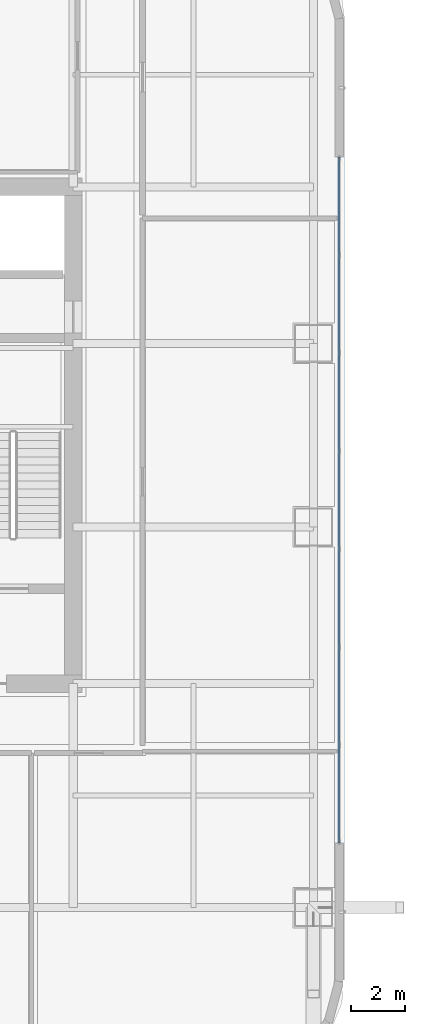
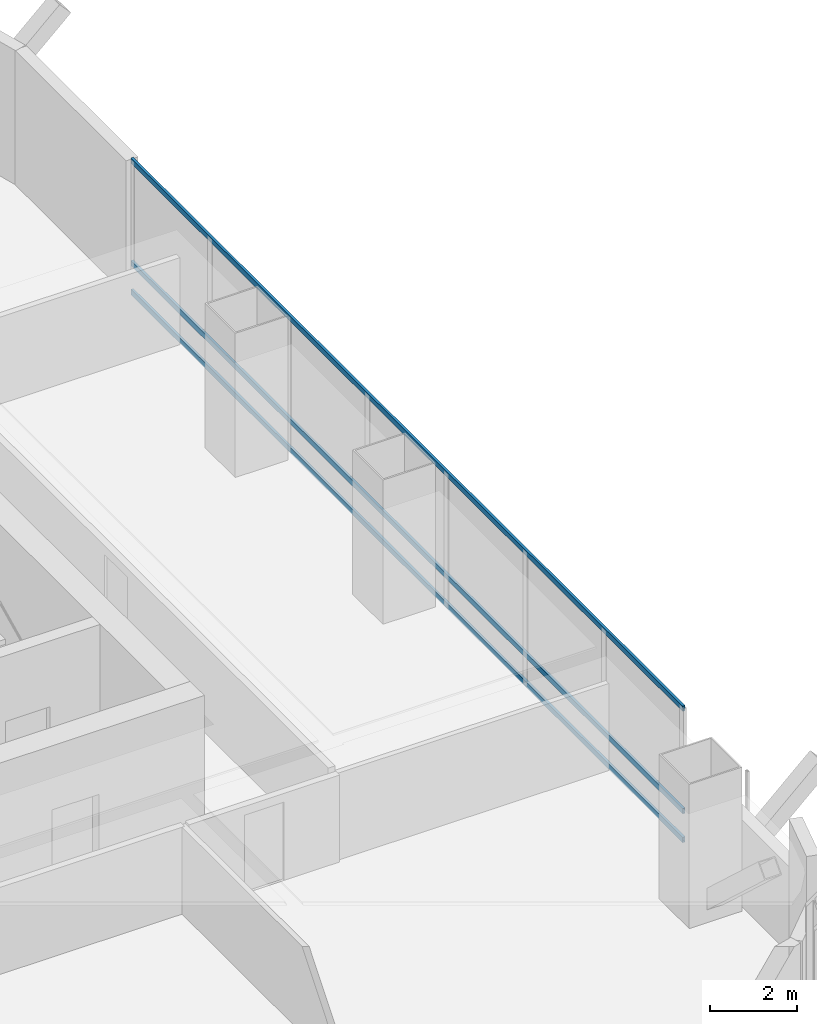
# One storey, part 17 of 46: 3 members, 1 element without a shape of its own.
"""IFC4 building model written with IfcOpenShell, lengths in metres."""

from ifc_helpers import new_model, si_unit, direction, frame, origin, origin_2d, place, context, subcontext, project, spatial, hollow_rectangle, extrude, material, material_profile, profile_set, type_object, element, aggregate, save


model = new_model("IFC4")

# Units and contexts
model_context = context("Model", 3, precision=1e-05, world=origin(), true_north=direction((0.0, 1.0)))
body_context = subcontext(model_context, "Body", "Model", "MODEL_VIEW")
ifc_project = project(units=[si_unit("LENGTHUNIT", "METRE"), si_unit("AREAUNIT", "SQUARE_METRE"), si_unit("VOLUMEUNIT", "CUBIC_METRE"), si_unit("PLANEANGLEUNIT", "RADIAN"), si_unit("MASSUNIT", "GRAM", prefix="KILO")], contexts=[model_context])

# Site, building, storey
site_placement = place(None, origin())
site = spatial("IfcSite", under=ifc_project, at=site_placement, CompositionType="ELEMENT")
building_placement = place(site_placement, origin())
building = spatial("IfcBuilding", under=site, at=building_placement, Name="Punatoya Terracotta Tower", CompositionType="ELEMENT")
storey_placement = place(building_placement, frame((0.0, 0.0, 200.550048828125)))
storey = spatial("IfcBuildingStorey", under=building, at=storey_placement, Name="L47", CompositionType="ELEMENT", Elevation=200.550048828125)

# Curtain wall, members
ifc_material_1 = material(Name="Aluminium 6063-T6 + Double Low-E Glass", Category="aluminium")
curtain_wall_type = type_object("IfcCurtainWallType", Name="CW-M2", PredefinedType="NOTDEFINED", material=ifc_material_1)
curtain_wall_placement = place(storey_placement, origin())
curtain_wall = element("IfcCurtainWall", 1, at=curtain_wall_placement, inside=storey, type_object=curtain_wall_type, Name="L47 Curtain Wall CW-L47-E05-1", PredefinedType="NOTDEFINED")
ifc_material_2 = material(Name="Aluminium 6063-T6", Category="aluminium")
ifc_material_profile = material_profile(ifc_material_2, hollow_rectangle(XDim=0.068115234375, YDim=0.14990234375, WallThickness=0.00390625, at=origin_2d()))
ifc_profile_set = profile_set([ifc_material_profile], Name="Aluminium 6063-T6")
member_type = type_object("IfcMemberType", Name="CW-TRN-TYP", PredefinedType="USERDEFINED", material=ifc_profile_set)
member_1_placement = place(storey_placement, frame((20.050048828125, -15.10009765625, 0.0400390625), z_axis=(0.0, 1.0, 0.0), x_axis=(-1.0, 0.0, 0.0)))
member_1 = element("IfcMember", 2, at=member_1_placement, type_object=member_type, Name="CW-L47-E05-1 Transom 1", ObjectType="TRANSOM", PredefinedType="USERDEFINED", context=body_context, shape_type="SweptSolid", body=[
    extrude(hollow_rectangle(XDim=0.068115234375, YDim=0.14990234375, WallThickness=0.00390625, at=origin_2d()), origin(), (0.0, 0.0, 1.0), 25.400146484375),
])
member_2_placement = place(storey_placement, frame((20.050048828125, -15.10009765625, 0.849853515625), z_axis=(0.0, 1.0, 0.0), x_axis=(-1.0, 0.0, 0.0)))
member_2 = element("IfcMember", 3, at=member_2_placement, type_object=member_type, Name="CW-L47-E05-1 Transom 2", ObjectType="TRANSOM", PredefinedType="USERDEFINED", context=body_context, shape_type="SweptSolid", body=[
    extrude(hollow_rectangle(XDim=0.068115234375, YDim=0.14990234375, WallThickness=0.00390625, at=origin_2d()), origin(), (0.0, 0.0, 1.0), 25.400146484375),
])
member_3_placement = place(storey_placement, frame((20.050048828125, -15.10009765625, 3.72998046875), z_axis=(0.0, 1.0, 0.0), x_axis=(-1.0, 0.0, 0.0)))
member_3 = element("IfcMember", 4, at=member_3_placement, type_object=member_type, Name="CW-L47-E05-1 Transom 3", ObjectType="TRANSOM", PredefinedType="USERDEFINED", context=body_context, shape_type="SweptSolid", body=[
    extrude(hollow_rectangle(XDim=0.068115234375, YDim=0.14990234375, WallThickness=0.00390625, at=origin_2d()), origin(), (0.0, 0.0, 1.0), 25.400146484375),
])
aggregate(curtain_wall, [member_1, member_2, member_3])

save(model, "model.ifc")
